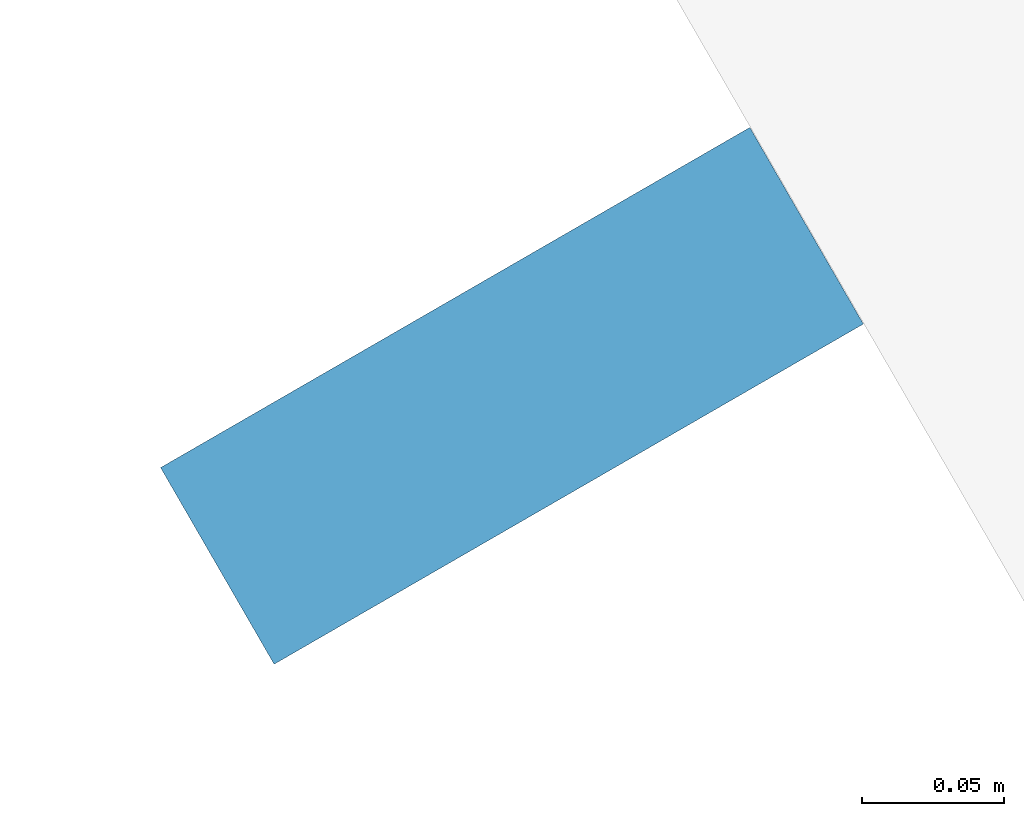
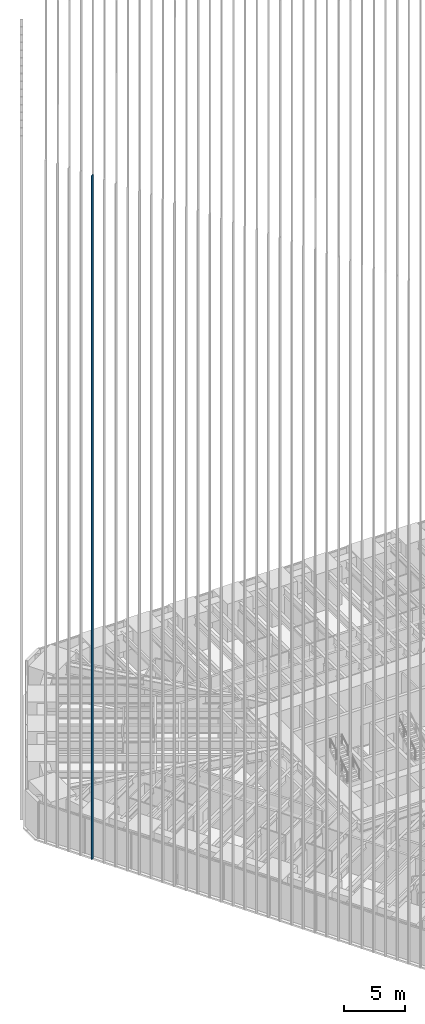
# One storey, part 65 of 256: 1 member, 1 element without a shape of its own.
"""IFC4 building model written with IfcOpenShell, lengths in metres."""

import ifcopenshell
import ifcopenshell.guid

model = None  # the IFC model being written
_history = None  # IfcOwnerHistory: only IFC2X3 demands one
_inside = {}  # id of a spatial element -> (the spatial element, [elements in it])
_under = {}  # id of a project, library or spatial element -> (it, [spatial elements below it])
_declared = {}  # id of a project -> (the project, [libraries it declares])
_typed = {}  # id of a type object -> (the type object, [elements of that type])
_made_of = {}  # id of a material, layer set ... -> (it, [elements and type objects made of it])


def new_model(schema):
    """Start an empty IFC model of exactly this schema.

    Asked for "IFC4X3", IfcOpenShell would pick the latest addendum, in which some entities
    have other attributes; the version numbers below select the first issue.
    IFC2X3 requires an IfcOwnerHistory on every rooted entity: one is made here for all.
    """
    global model, _history
    if schema == "IFC4X3":
        model = ifcopenshell.file(schema_version=(4, 3, 0, 0))
    else:
        model = ifcopenshell.file(schema=schema)
    _inside.clear()
    _under.clear()
    _declared.clear()
    _typed.clear()
    _made_of.clear()
    _history = None
    if model.schema == "IFC2X3":
        org = make("IfcOrganization", Name="unknown")
        user = make(
            "IfcPersonAndOrganization",
            ThePerson=make("IfcPerson", FamilyName="unknown"),
            TheOrganization=org,
        )
        app = make(
            "IfcApplication",
            ApplicationDeveloper=org,
            Version="unknown",
            ApplicationFullName="unknown",
            ApplicationIdentifier="unknown",
        )
        _history = make(
            "IfcOwnerHistory",
            OwningUser=user,
            OwningApplication=app,
            ChangeAction="ADDED",
            CreationDate=0,
        )
    return model


def make(cls, **values):
    """One entity of the class cls with the attributes given. An attribute that is None is left unset."""
    return model.create_entity(
        cls, **{name: value for name, value in values.items() if value is not None}
    )


def rooted(cls, **values):
    """An entity with a GlobalId (a new one), such as an element, a storey or a relation."""
    return make(cls, GlobalId=ifcopenshell.guid.new(), OwnerHistory=_history, **values)


def si_unit(unit_type, name, prefix=None):
    """IfcSIUnit, for example si_unit("LENGTHUNIT", "METRE", prefix="MILLI")."""
    return make("IfcSIUnit", UnitType=unit_type, Prefix=prefix, Name=name)


def assignment(units):
    """IfcUnitAssignment: the units of a project."""
    return None if units is None else make("IfcUnitAssignment", Units=units)


def point(xyz):
    """IfcCartesianPoint."""
    return None if xyz is None else make("IfcCartesianPoint", Coordinates=xyz)


def direction(xyz):
    """IfcDirection."""
    return None if xyz is None else make("IfcDirection", DirectionRatios=xyz)


def frame(location, z_axis=None, x_axis=None):
    """IfcAxis2Placement3D, a coordinate frame: its origin and axes. An axis left out is left unset."""
    return make(
        "IfcAxis2Placement3D",
        Location=point(location),
        Axis=direction(z_axis),
        RefDirection=direction(x_axis),
    )


def frame_2d(location, x_axis=None):
    """IfcAxis2Placement2D, a coordinate frame in the plane: its origin and x axis."""
    return make(
        "IfcAxis2Placement2D", Location=point(location), RefDirection=direction(x_axis)
    )


def origin():
    """The frame at (0, 0, 0) with its axes left unset."""
    return frame((0.0, 0.0, 0.0))


def origin_2d():
    """The frame at (0, 0) in the plane with its x axis left unset."""
    return frame_2d((0.0, 0.0))


def place(relative_to, where):
    """IfcLocalPlacement: puts the frame where relative to a parent placement (None: the world)."""
    return make(
        "IfcLocalPlacement", PlacementRelTo=relative_to, RelativePlacement=where
    )


def context(
    kind, dimensions, precision=None, world=None, true_north=None, identifier=None
):
    """IfcGeometricRepresentationContext, for example the 3D "Model" context."""
    return make(
        "IfcGeometricRepresentationContext",
        ContextIdentifier=identifier,
        ContextType=kind,
        CoordinateSpaceDimension=dimensions,
        Precision=precision,
        WorldCoordinateSystem=world,
        TrueNorth=true_north,
    )


def subcontext(parent, identifier, kind, view, scale=None):
    """IfcGeometricRepresentationSubContext, for example "Body" below "Model"."""
    return make(
        "IfcGeometricRepresentationSubContext",
        ContextIdentifier=identifier,
        ContextType=kind,
        ParentContext=parent,
        TargetScale=scale,
        TargetView=view,
    )


def project(units=None, contexts=None):
    """IfcProject with its units and contexts."""
    return rooted(
        "IfcProject",
        Name="project",
        RepresentationContexts=contexts,
        UnitsInContext=assignment(units),
    )


def spatial(cls, under=None, at=None, **own):
    """A site, building, storey or space (cls), placed at a placement, below another one or the project."""
    s = rooted(cls, ObjectPlacement=at, **own)
    if under is not None:
        _under.setdefault(under.id(), (under, []))[1].append(s)
    return s


def profile(cls, at=None, kind="AREA", **sizes):
    """A parametric profile (cls). Its sizes go by their IFC names, for example OverallWidth=200.0."""
    return make(cls, ProfileType=kind, Position=at, **sizes)


def rectangle(**sizes):
    """IfcRectangleProfileDef."""
    return profile("IfcRectangleProfileDef", **sizes)


def extrude(swept, where, along, depth):
    """IfcExtrudedAreaSolid: the profile swept, set in the frame where, extruded along a direction by depth."""
    return make(
        "IfcExtrudedAreaSolid",
        SweptArea=swept,
        Position=where,
        ExtrudedDirection=direction(along),
        Depth=depth,
    )


def shape(context_of_items, identifier, shape_type, items):
    """IfcShapeRepresentation: the items that make up one representation, for example the "Body"."""
    return make(
        "IfcShapeRepresentation",
        ContextOfItems=context_of_items,
        RepresentationIdentifier=identifier,
        RepresentationType=shape_type,
        Items=items,
    )


def material(Name=None, Category=None):
    """IfcMaterial."""
    return make("IfcMaterial", Name=Name, Category=Category)


def material_profile(
    of_material, cross_section, Name=None, Category=None, Priority=None
):
    """IfcMaterialProfile: a cross section and its material."""
    return make(
        "IfcMaterialProfile",
        Name=Name,
        Material=of_material,
        Profile=cross_section,
        Priority=Priority,
        Category=Category,
    )


def profile_set(profiles, Name=None, composite=None):
    """IfcMaterialProfileSet."""
    return make(
        "IfcMaterialProfileSet",
        Name=Name,
        MaterialProfiles=profiles,
        CompositeProfile=composite,
    )


def made_of(thing, what):
    """Note that an element or type object is made of a material, layer set ...; save() writes the relation."""
    if what is not None:
        _made_of.setdefault(what.id(), (what, []))[1].append(thing)
    return thing


def type_object(cls, material=None, **own):
    """A type object (cls), such as IfcWallType, which elements share."""
    return made_of(rooted(cls, **own), material)


def element(
    cls,
    number,
    at=None,
    inside=None,
    cuts=None,
    type_object=None,
    material=None,
    context=None,
    identifier="Body",
    shape_type=None,
    held_by="IfcProductDefinitionShape",
    body=None,
    shapes=None,
    **own,
):
    """One element of the class cls, such as IfcWall. Its Tag is "e" and its number.

    at: its placement. inside: the storey or other place that contains it. cuts: it is an
    opening in that element (IfcRelVoidsElement). A single representation is given by context,
    identifier, shape_type and body (its items); several are given by shapes. held_by: the class
    of the entity that holds the representations. save() writes the other relations.
    """
    e = rooted(cls, Tag="e%d" % number, ObjectPlacement=at, **own)
    if body is not None:
        shapes = [shape(context, identifier, shape_type, body)]
    if shapes is not None:
        e.Representation = make(held_by, Representations=shapes)
    if inside is not None:
        _inside.setdefault(inside.id(), (inside, []))[1].append(e)
    if cuts is not None:
        rooted(
            "IfcRelVoidsElement", RelatingBuildingElement=cuts, RelatedOpeningElement=e
        )
    if type_object is not None:
        _typed.setdefault(type_object.id(), (type_object, []))[1].append(e)
    return made_of(e, material)


def aggregate(whole, parts):
    """IfcRelAggregates: a whole, such as a stair, and the parts it consists of."""
    return rooted("IfcRelAggregates", RelatingObject=whole, RelatedObjects=parts)


def save(model, path):
    """Write the relations noted so far, then the file.

    IfcRelAggregates (storeys below a building ...), IfcRelContainedInSpatialStructure (elements
    in a storey), IfcRelDefinesByType, IfcRelAssociatesMaterial and IfcRelDeclares: one each for
    every whole, place, type object, material and project.
    """
    for whole, parts in _under.values():
        aggregate(whole, parts)
    for where, things in _inside.values():
        rooted(
            "IfcRelContainedInSpatialStructure",
            RelatedElements=things,
            RelatingStructure=where,
        )
    for kind, things in _typed.values():
        rooted("IfcRelDefinesByType", RelatedObjects=things, RelatingType=kind)
    for what, things in _made_of.values():
        rooted("IfcRelAssociatesMaterial", RelatedObjects=things, RelatingMaterial=what)
    for by, libraries in _declared.values():
        rooted("IfcRelDeclares", RelatingContext=by, RelatedDefinitions=libraries)
    model.write(path)


model = new_model("IFC4")

# Units and contexts
model_context = context("Model", 3, precision=1e-05, world=origin(), true_north=direction((0.0, 1.0)))
body_context = subcontext(model_context, "Body", "Model", "MODEL_VIEW")
ifc_project = project(units=[si_unit("LENGTHUNIT", "METRE"), si_unit("AREAUNIT", "SQUARE_METRE"), si_unit("VOLUMEUNIT", "CUBIC_METRE"), si_unit("PLANEANGLEUNIT", "RADIAN"), si_unit("MASSUNIT", "GRAM", prefix="KILO")], contexts=[model_context])

# Site, building, storey
site_placement = place(None, origin())
site = spatial("IfcSite", under=ifc_project, at=site_placement, CompositionType="ELEMENT")
building_placement = place(site_placement, origin())
building = spatial("IfcBuilding", under=site, at=building_placement, Name="Sandreach Pilgrim Tower", CompositionType="ELEMENT")
storey_placement = place(building_placement, frame((0.0, 0.0, 23.0)))
storey = spatial("IfcBuildingStorey", under=building, at=storey_placement, Name="L04", CompositionType="ELEMENT", Elevation=23.0)

# Curtain wall, member
ifc_material_1 = material(Name="Aluminium framed curtain wall", Category="aluminium")
curtain_wall_type = type_object("IfcCurtainWallType", Name="Hostel tower curtain wall", PredefinedType="NOTDEFINED", material=ifc_material_1)
curtain_wall_placement = place(storey_placement, origin())
curtain_wall = element("IfcCurtainWall", 1, at=curtain_wall_placement, inside=storey, type_object=curtain_wall_type, Name="CW-1 L04 SW", PredefinedType="NOTDEFINED")
ifc_material_2 = material(Name="Extruded terracotta on aluminium core", Category="masonry")
ifc_material_profile = material_profile(ifc_material_2, rectangle(XDim=0.080078125, YDim=0.239990234375, at=origin_2d()), Name="TBW 80X240")
ifc_profile_set = profile_set([ifc_material_profile], Name="Extruded terracotta on aluminium core")
member_type = type_object("IfcMemberType", Name="Terracotta baguette west", PredefinedType="USERDEFINED", material=ifc_profile_set)
member_placement = place(storey_placement, frame((-28.29541015625, 0.271484375, 0.0), z_axis=(0.0, 0.0, 1.0), x_axis=(-0.5, 0.866025403784, 0.0)))
member = element("IfcMember", 2, at=member_placement, type_object=member_type, Name="Baguette Z1 SW31", ObjectType="BAGUETTE", PredefinedType="USERDEFINED", context=body_context, shape_type="SweptSolid", body=[
    extrude(rectangle(XDim=0.080078125, YDim=0.239990234375, at=origin_2d()), origin(), (0.0, 0.0, 1.0), 68.239990234375),
])
aggregate(curtain_wall, [member])

save(model, "model.ifc")
